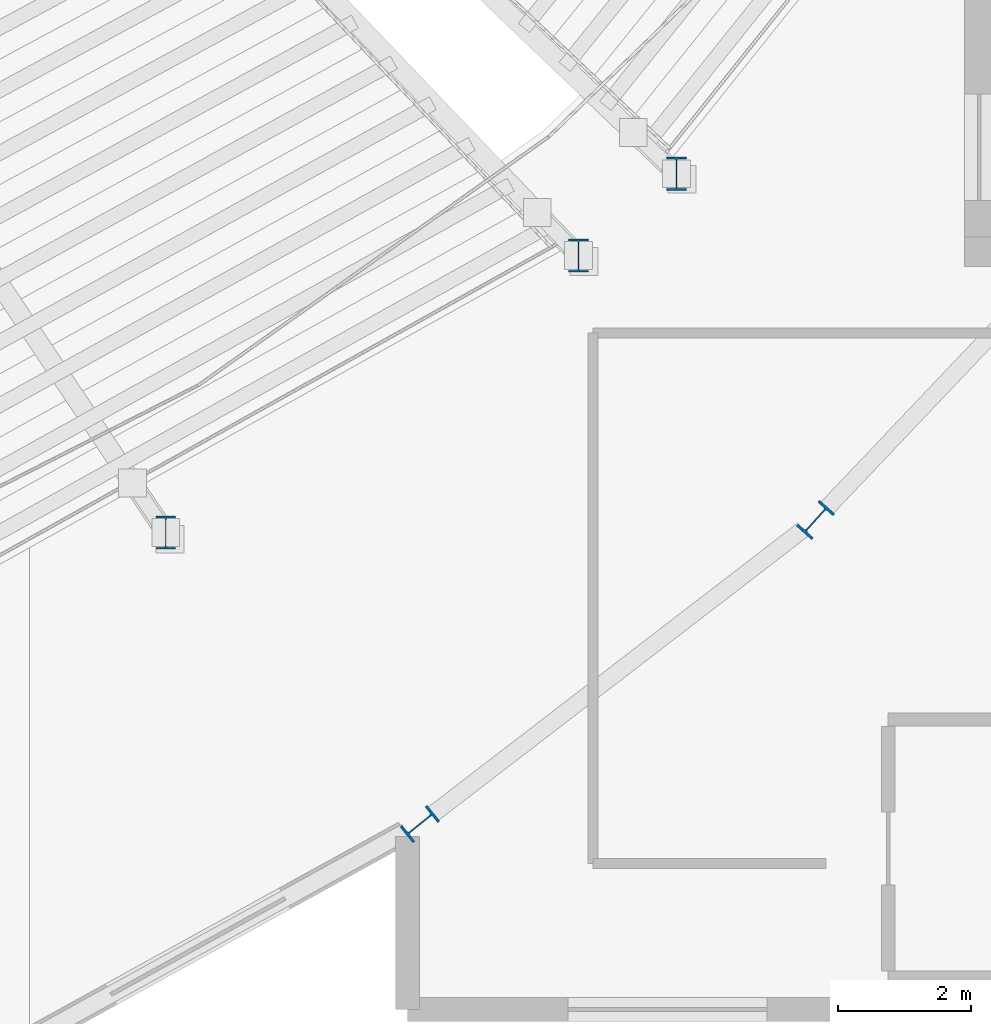
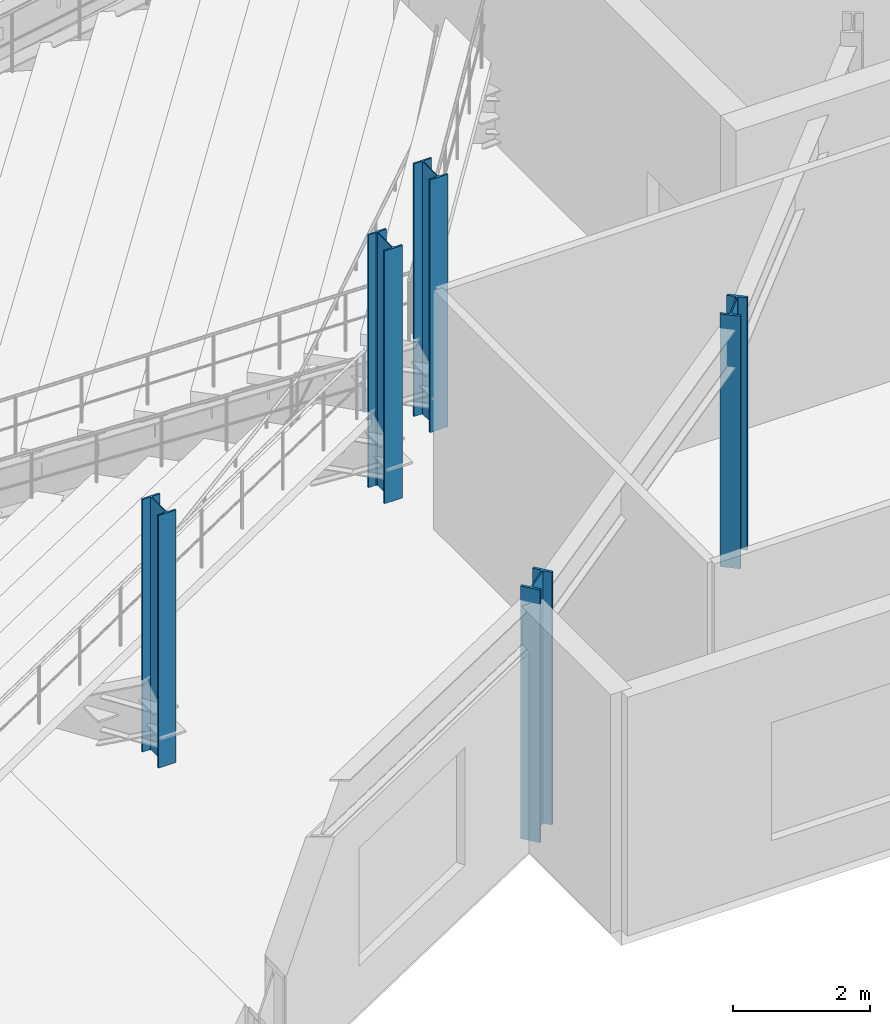
# One storey, part 7 of 81: 5 columns.
"""IFC4 building model written with IfcOpenShell, lengths in metres."""

from ifc_helpers import new_model, si_unit, direction, frame, origin, origin_2d, place, context, subcontext, project, spatial, i_section, extrude, material, material_profile, profile_set, type_object, element, save


model = new_model("IFC4")

# Units and contexts
model_context = context("Model", 3, precision=1e-05, world=origin(), true_north=direction((0.0, 1.0)))
body_context = subcontext(model_context, "Body", "Model", "MODEL_VIEW")
ifc_project = project(units=[si_unit("LENGTHUNIT", "METRE"), si_unit("AREAUNIT", "SQUARE_METRE"), si_unit("VOLUMEUNIT", "CUBIC_METRE"), si_unit("PLANEANGLEUNIT", "RADIAN"), si_unit("MASSUNIT", "GRAM", prefix="KILO")], contexts=[model_context])

# Site, building, storey
site_placement = place(None, origin())
site = spatial("IfcSite", under=ifc_project, at=site_placement, CompositionType="ELEMENT")
building_placement = place(site_placement, origin())
building = spatial("IfcBuilding", under=site, at=building_placement, Name="Glasvene Arena", CompositionType="ELEMENT")
storey_placement = place(building_placement, frame((0.0, 0.0, 15.0)))
storey = spatial("IfcBuildingStorey", under=building, at=storey_placement, Name="L03", CompositionType="ELEMENT", Elevation=15.0)

# Columns
ifc_material = material(Name="Steel S355J2", Category="steel")
ifc_material_profile_1 = material_profile(ifc_material, i_section(OverallWidth=0.305908203125, OverallDepth=0.52392578125, WebThickness=0.02099609375, FlangeThickness=0.0400390625, FilletRadius=0.027099609375, at=origin_2d()), Name="HEM 500")
ifc_profile_set_1 = profile_set([ifc_material_profile_1], Name="Steel S355J2")
column_type_1 = type_object("IfcColumnType", Name="COL-RING-HEM500", PredefinedType="COLUMN", material=ifc_profile_set_1)
for number, where, z_axis, x_axis, name in (
    (1, (121.389404296875, 36.59423828125, 0.0), (0.0, 0.0, 1.0), (0.628098877137, -0.778133536444, 0.0), "Bowl ring column R35 L03"),
    (2, (127.355224609375, 41.18017578125, 0.0), (0.0, 0.0, 1.0), (0.74326159948, -0.669000892928, 0.0), "Bowl ring column R36 L03"),
):
    element("IfcColumn", number, at=place(storey_placement, frame(where, z_axis=z_axis, x_axis=x_axis)), inside=storey, type_object=column_type_1, Name=name, PredefinedType="COLUMN", context=body_context, shape_type="SweptSolid", body=[
        extrude(i_section(OverallWidth=0.305908203125, OverallDepth=0.52392578125, WebThickness=0.02099609375, FlangeThickness=0.0400390625, FilletRadius=0.027099609375, at=origin_2d()), origin(), (0.0, 0.0, 1.0), 4.5),
    ])
ifc_material_profile_2 = material_profile(ifc_material, i_section(OverallWidth=0.300048828125, OverallDepth=0.5, WebThickness=0.014404296875, FlangeThickness=0.028076171875, FilletRadius=0.027099609375, at=origin_2d()), Name="HEB 500")
ifc_profile_set_2 = profile_set([ifc_material_profile_2], Name="Steel S355J2")
column_type_2 = type_object("IfcColumnType", Name="COL-W-HEB500", PredefinedType="COLUMN", material=ifc_profile_set_2)
for number, where, z_axis, x_axis, name in (
    (3, (123.780517578125, 45.165771484375, 0.0), (0.0, 0.0, 1.0), (1.0, 0.0, 0.0), "Upper raker rear column L03 14-2"),
    (4, (125.256591796875, 46.40087890625, 0.0), (0.0, 0.0, 1.0), (1.0, 0.0, 0.0), "Upper raker rear column L03 15-1"),
    (5, (117.55615234375, 40.98828125, 0.0), (0.0, 0.0, 1.0), (1.0, 0.0, 0.0), "Mid-sector rear raker column L03 14"),
):
    element("IfcColumn", number, at=place(storey_placement, frame(where, z_axis=z_axis, x_axis=x_axis)), inside=storey, type_object=column_type_2, Name=name, PredefinedType="COLUMN", context=body_context, shape_type="SweptSolid", body=[
        extrude(i_section(OverallWidth=0.300048828125, OverallDepth=0.5, WebThickness=0.014404296875, FlangeThickness=0.028076171875, FilletRadius=0.027099609375, at=origin_2d()), origin(), (0.0, 0.0, 1.0), 4.5),
    ])

save(model, "model.ifc")
